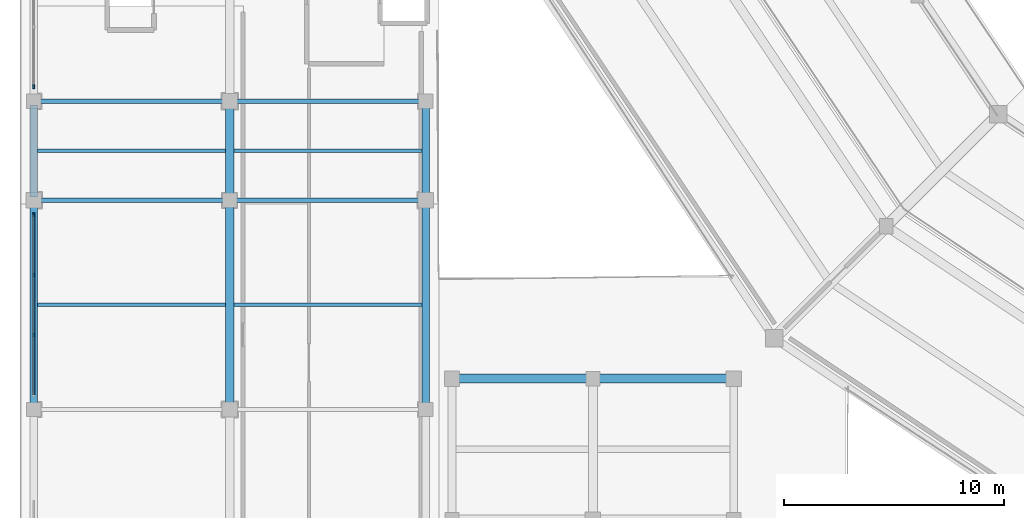
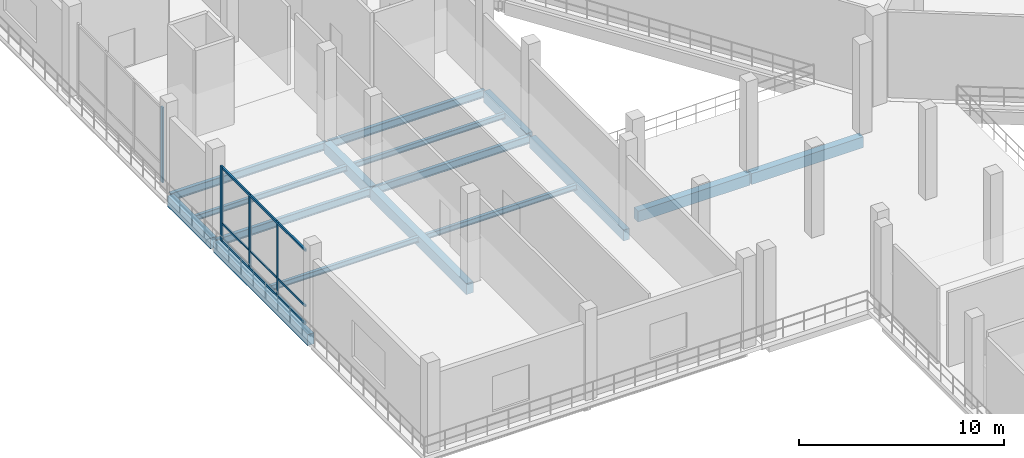
# One storey, part 16 of 127: 16 beams, 7 members, 2 elements without a shape of their own.
"""IFC4 building model written with IfcOpenShell, lengths in metres."""

from ifc_helpers import new_model, si_unit, direction, frame, origin, origin_2d, place, context, subcontext, project, spatial, rectangle, i_section, extrude, material, material_profile, profile_set, type_object, element, aggregate, save


model = new_model("IFC4")

# Units and contexts
model_context = context("Model", 3, precision=1e-05, world=origin(), true_north=direction((0.0, 1.0)))
body_context = subcontext(model_context, "Body", "Model", "MODEL_VIEW")
ifc_project = project(units=[si_unit("LENGTHUNIT", "METRE"), si_unit("AREAUNIT", "SQUARE_METRE"), si_unit("VOLUMEUNIT", "CUBIC_METRE"), si_unit("PLANEANGLEUNIT", "RADIAN"), si_unit("MASSUNIT", "GRAM", prefix="KILO")], contexts=[model_context])

# Site, building, storey
site_placement = place(None, origin())
site = spatial("IfcSite", under=ifc_project, at=site_placement, CompositionType="ELEMENT")
building_placement = place(site_placement, origin())
building = spatial("IfcBuilding", under=site, at=building_placement, Name="Candeia Ridge Stadium", CompositionType="ELEMENT")
storey_placement = place(building_placement, frame((0.0, 0.0, 10.800048828125)))
storey = spatial("IfcBuildingStorey", under=building, at=storey_placement, Name="L02", CompositionType="ELEMENT", Elevation=10.800048828125)

# Curtain wall, member
ifc_material_1 = material(Name="Aluminium Anodized Warm Bronze", Category="aluminium")
curtain_wall_type = type_object("IfcCurtainWallType", Name="Cardinal Entrance Gate Tall Glazed Curtain Wall", PredefinedType="NOTDEFINED", material=ifc_material_1)
curtain_wall_1_placement = place(storey_placement, origin())
curtain_wall_1 = element("IfcCurtainWall", 1, at=curtain_wall_1_placement, inside=storey, type_object=curtain_wall_type, Name="Unitised curtain wall CW-WNG-L02-081", PredefinedType="NOTDEFINED")
ifc_material_profile_1 = material_profile(ifc_material_1, rectangle(XDim=0.090087890625, YDim=0.179931640625, at=origin_2d()), Name="CWM-90x180", Category="aluminium")
ifc_profile_set_1 = profile_set([ifc_material_profile_1], Name="Aluminium Anodized Warm Bronze")
member_type_1 = type_object("IfcMemberType", Name="Curtain Wall Primary Mullion 90x180", PredefinedType="MULLION", material=ifc_profile_set_1)
member_1_placement = place(storey_placement, frame((0.60009765625, 39.840087890625, 0.0), z_axis=(0.0, 0.0, 1.0), x_axis=(1.0, 0.0, 0.0)))
member_1 = element("IfcMember", 2, at=member_1_placement, type_object=member_type_1, Name="Curtain wall mullion CW-WNG-L02-081-M3", PredefinedType="MULLION", context=body_context, shape_type="SweptSolid", body=[
    extrude(rectangle(XDim=0.090087890625, YDim=0.179931640625, at=origin_2d()), origin(), (0.0, 0.0, 1.0), 4.48486328125),
])

curtain_wall_2_placement = place(storey_placement, origin())
curtain_wall_2 = element("IfcCurtainWall", 3, at=curtain_wall_2_placement, inside=storey, type_object=curtain_wall_type, Name="Unitised curtain wall CW-WNG-L02-082", PredefinedType="NOTDEFINED")
member_2_placement = place(storey_placement, frame((0.60009765625, 45.659912109375, 0.0), z_axis=(0.0, 0.0, 1.0), x_axis=(1.0, 0.0, 0.0)))
member_2 = element("IfcMember", 4, at=member_2_placement, type_object=member_type_1, Name="Curtain wall mullion CW-WNG-L02-082-M0", PredefinedType="MULLION", context=body_context, shape_type="SweptSolid", body=[
    extrude(rectangle(XDim=0.090087890625, YDim=0.179931640625, at=origin_2d()), origin(), (0.0, 0.0, 1.0), 4.48486328125),
])
aggregate(curtain_wall_2, [member_2])

# Member
ifc_material_profile_2 = material_profile(ifc_material_1, rectangle(XDim=0.074951171875, YDim=0.14990234375, at=origin_2d()), Name="CWM-75x150", Category="aluminium")
ifc_profile_set_2 = profile_set([ifc_material_profile_2], Name="Aluminium Anodized Warm Bronze")
member_type_2 = type_object("IfcMemberType", Name="Curtain Wall Secondary Mullion 75x150", PredefinedType="MULLION", material=ifc_profile_set_2)
member_3_placement = place(storey_placement, frame((0.60009765625, 34.38671875, 0.0), z_axis=(0.0, 0.0, 1.0), x_axis=(1.0, 0.0, 0.0)))
member_3 = element("IfcMember", 5, at=member_3_placement, type_object=member_type_2, Name="Curtain wall mullion CW-WNG-L02-081-M1", PredefinedType="MULLION", context=body_context, shape_type="SweptSolid", body=[
    extrude(rectangle(XDim=0.074951171875, YDim=0.14990234375, at=origin_2d()), origin(), (0.0, 0.0, 1.0), 4.48486328125),
])

member_4_placement = place(storey_placement, frame((0.60009765625, 37.11328125, 0.0), z_axis=(0.0, 0.0, 1.0), x_axis=(1.0, 0.0, 0.0)))
member_4 = element("IfcMember", 6, at=member_4_placement, type_object=member_type_2, Name="Curtain wall mullion CW-WNG-L02-081-M2", PredefinedType="MULLION", context=body_context, shape_type="SweptSolid", body=[
    extrude(rectangle(XDim=0.074951171875, YDim=0.14990234375, at=origin_2d()), origin(), (0.0, 0.0, 1.0), 4.48486328125),
])

ifc_material_profile_3 = material_profile(ifc_material_1, rectangle(XDim=0.074951171875, YDim=0.110107421875, at=origin_2d()), Name="CWT-75x110", Category="aluminium")
ifc_profile_set_3 = profile_set([ifc_material_profile_3], Name="Aluminium Anodized Warm Bronze")
member_type_3 = type_object("IfcMemberType", Name="Curtain Wall Secondary Transom 75x110", PredefinedType="USERDEFINED", material=ifc_profile_set_3)
member_5_placement = place(storey_placement, frame((0.60009765625, 31.659912109375, 1.099853515625), z_axis=(0.0, 1.0, 0.0), x_axis=(-1.0, 0.0, 0.0)))
member_5 = element("IfcMember", 7, at=member_5_placement, type_object=member_type_3, Name="Curtain wall transom CW-WNG-L02-081-T1", ObjectType="TRANSOM", PredefinedType="USERDEFINED", context=body_context, shape_type="SweptSolid", body=[
    extrude(rectangle(XDim=0.074951171875, YDim=0.110107421875, at=origin_2d()), origin(), (0.0, 0.0, 1.0), 8.18017578125),
])

ifc_material_profile_4 = material_profile(ifc_material_1, rectangle(XDim=0.090087890625, YDim=0.139892578125, at=origin_2d()), Name="CWT-90x140", Category="aluminium")
ifc_profile_set_4 = profile_set([ifc_material_profile_4], Name="Aluminium Anodized Warm Bronze")
member_type_4 = type_object("IfcMemberType", Name="Curtain Wall Transom 90x140", PredefinedType="USERDEFINED", material=ifc_profile_set_4)
member_6_placement = place(storey_placement, frame((0.60009765625, 31.659912109375, 0.070068359375), z_axis=(0.0, 1.0, 0.0), x_axis=(-1.0, 0.0, 0.0)))
member_6 = element("IfcMember", 8, at=member_6_placement, type_object=member_type_4, Name="Curtain wall transom CW-WNG-L02-081-T0", ObjectType="TRANSOM", PredefinedType="USERDEFINED", context=body_context, shape_type="SweptSolid", body=[
    extrude(rectangle(XDim=0.090087890625, YDim=0.139892578125, at=origin_2d()), origin(), (0.0, 0.0, 1.0), 8.18017578125),
])

member_7_placement = place(storey_placement, frame((0.60009765625, 31.659912109375, 4.4150390625), z_axis=(0.0, 1.0, 0.0), x_axis=(-1.0, 0.0, 0.0)))
member_7 = element("IfcMember", 9, at=member_7_placement, type_object=member_type_4, Name="Curtain wall transom CW-WNG-L02-081-T2", ObjectType="TRANSOM", PredefinedType="USERDEFINED", context=body_context, shape_type="SweptSolid", body=[
    extrude(rectangle(XDim=0.090087890625, YDim=0.139892578125, at=origin_2d()), origin(), (0.0, 0.0, 1.0), 8.18017578125),
])

aggregate(curtain_wall_1, [member_3, member_4, member_1, member_6, member_5, member_7])

# Beams
ifc_material_2 = material(Name="Steel ASTM A572 Grade 50", Category="steel")
ifc_material_profile_5 = material_profile(ifc_material_2, i_section(OverallWidth=0.1669921875, OverallDepth=0.31689453125, WebThickness=0.007568359375, FlangeThickness=0.01318359375, FilletRadius=0.011962890625, at=origin_2d()), Name="W310x52", Category="steel")
ifc_profile_set_5 = profile_set([ifc_material_profile_5], Name="Steel ASTM A572 Grade 50")
beam_type_1 = type_object("IfcBeamType", Name="Pavilion Secondary Joist W310x52", PredefinedType="JOIST", material=ifc_profile_set_5)
for number, where, z_axis, x_axis, name in (
    (10, (0.7744140625, 35.75, -0.41845703125), (1.0, 0.0, 0.0), (0.0, 1.0, 0.0), "Wing secondary joist BM-L02-1154"),
    (11, (0.7744140625, 42.75, -0.41845703125), (1.0, 0.0, 0.0), (0.0, 1.0, 0.0), "Wing secondary joist BM-L02-1156"),
    (12, (9.699462890625, 35.75, -0.41845703125), (1.0, 0.0, 0.0), (0.0, 1.0, 0.0), "Wing secondary joist BM-L02-1172"),
    (13, (9.699462890625, 42.75, -0.41845703125), (1.0, 0.0, 0.0), (0.0, 1.0, 0.0), "Wing secondary joist BM-L02-1174"),
):
    element("IfcBeam", number, at=place(storey_placement, frame(where, z_axis=z_axis, x_axis=x_axis)), inside=storey, type_object=beam_type_1, Name=name, PredefinedType="JOIST", context=body_context, shape_type="SweptSolid", body=[
        extrude(i_section(OverallWidth=0.1669921875, OverallDepth=0.31689453125, WebThickness=0.007568359375, FlangeThickness=0.01318359375, FilletRadius=0.011962890625, at=origin_2d()), origin(), (0.0, 0.0, 1.0), 8.526123046875),
    ])
ifc_material_profile_6 = material_profile(ifc_material_2, i_section(OverallWidth=0.18994140625, OverallDepth=0.45703125, WebThickness=0.009033203125, FlangeThickness=0.014404296875, FilletRadius=0.012939453125, at=origin_2d()), Name="W460x74", Category="steel")
ifc_profile_set_6 = profile_set([ifc_material_profile_6], Name="Steel ASTM A572 Grade 50")
beam_type_2 = type_object("IfcBeamType", Name="Pavilion Steel Girder W460x74", PredefinedType="BEAM", material=ifc_profile_set_6)
for number, where, z_axis, x_axis, name in (
    (14, (0.64990234375, 40.5, -0.488525390625), (1.0, 0.0, 0.0), (0.0, 1.0, 0.0), "Structural girder BM-L02-1155"),
    (15, (0.64990234375, 45.0, -0.488525390625), (1.0, 0.0, 0.0), (0.0, 1.0, 0.0), "Structural girder BM-L02-1157"),
    (16, (9.550048828125, 40.5, -0.488525390625), (1.0, 0.0, 0.0), (0.0, 1.0, 0.0), "Structural girder BM-L02-1173"),
    (17, (9.550048828125, 45.0, -0.488525390625), (1.0, 0.0, 0.0), (0.0, 1.0, 0.0), "Structural girder BM-L02-1175"),
):
    element("IfcBeam", number, at=place(storey_placement, frame(where, z_axis=z_axis, x_axis=x_axis)), inside=storey, type_object=beam_type_2, Name=name, PredefinedType="BEAM", context=body_context, shape_type="SweptSolid", body=[
        extrude(i_section(OverallWidth=0.18994140625, OverallDepth=0.45703125, WebThickness=0.009033203125, FlangeThickness=0.014404296875, FilletRadius=0.012939453125, at=origin_2d()), origin(), (0.0, 0.0, 1.0), 8.800048828125),
    ])
ifc_material_3 = material(Name="Concrete C40/50", Category="concrete")
ifc_material_profile_7 = material_profile(ifc_material_3, rectangle(XDim=0.35009765625, YDim=0.64990234375, at=origin_2d()), Name="RC350x650", Category="concrete")
ifc_profile_set_7 = profile_set([ifc_material_profile_7], Name="Concrete C40/50")
beam_type_3 = type_object("IfcBeamType", Name="Spandrel Beam RC350x650", PredefinedType="SPANDREL", material=ifc_profile_set_7)
beam_1_placement = place(storey_placement, frame((0.60009765625, 31.159912109375, -0.5849609375), z_axis=(0.0, 1.0, 0.0), x_axis=(-1.0, 0.0, 0.0)))
element("IfcBeam", 18, at=beam_1_placement, inside=storey, type_object=beam_type_3, Name="Structural girder BM-L02-1114", PredefinedType="SPANDREL", context=body_context, shape_type="SweptSolid", body=[
    extrude(rectangle(XDim=0.35009765625, YDim=0.64990234375, at=origin_2d()), origin(), (0.0, 0.0, 1.0), 9.18017578125),
])
beam_2_placement = place(storey_placement, frame((0.60009765625, 40.659912109375, -0.5849609375), z_axis=(0.0, 1.0, 0.0), x_axis=(-1.0, 0.0, 0.0)))
element("IfcBeam", 19, at=beam_2_placement, inside=storey, type_object=beam_type_3, Name="Structural girder BM-L02-1115", PredefinedType="SPANDREL", context=body_context, shape_type="SweptSolid", body=[
    extrude(rectangle(XDim=0.35009765625, YDim=0.64990234375, at=origin_2d()), origin(), (0.0, 0.0, 1.0), 4.18017578125),
])
beam_3_placement = place(storey_placement, frame((18.39990234375, 31.159912109375, -0.5849609375), z_axis=(0.0, 1.0, 0.0), x_axis=(-1.0, 0.0, 0.0)))
element("IfcBeam", 20, at=beam_3_placement, inside=storey, type_object=beam_type_3, Name="Structural girder BM-L02-1140", PredefinedType="SPANDREL", context=body_context, shape_type="SweptSolid", body=[
    extrude(rectangle(XDim=0.35009765625, YDim=0.64990234375, at=origin_2d()), origin(), (0.0, 0.0, 1.0), 9.18017578125),
])
beam_4_placement = place(storey_placement, frame((18.39990234375, 40.659912109375, -0.5849609375), z_axis=(0.0, 1.0, 0.0), x_axis=(-1.0, 0.0, 0.0)))
element("IfcBeam", 21, at=beam_4_placement, inside=storey, type_object=beam_type_3, Name="Structural girder BM-L02-1141", PredefinedType="SPANDREL", context=body_context, shape_type="SweptSolid", body=[
    extrude(rectangle(XDim=0.35009765625, YDim=0.64990234375, at=origin_2d()), origin(), (0.0, 0.0, 1.0), 4.18017578125),
])
ifc_material_profile_8 = material_profile(ifc_material_3, rectangle(XDim=0.39990234375, YDim=0.64990234375, at=origin_2d()), Name="RC400x650", Category="concrete")
ifc_profile_set_8 = profile_set([ifc_material_profile_8], Name="Concrete C40/50")
beam_type_4 = type_object("IfcBeamType", Name="Wing Primary Girder RC400x650", PredefinedType="BEAM", material=ifc_profile_set_8)
beam_5_placement = place(storey_placement, frame((9.5, 31.050048828125, -0.5849609375), z_axis=(0.0, 1.0, 0.0), x_axis=(-1.0, 0.0, 0.0)))
element("IfcBeam", 22, at=beam_5_placement, inside=storey, type_object=beam_type_4, Name="Structural girder BM-L02-1128", PredefinedType="BEAM", context=body_context, shape_type="SweptSolid", body=[
    extrude(rectangle(XDim=0.39990234375, YDim=0.64990234375, at=origin_2d()), origin(), (0.0, 0.0, 1.0), 9.39990234375),
])
beam_6_placement = place(storey_placement, frame((9.5, 40.550048828125, -0.5849609375), z_axis=(0.0, 1.0, 0.0), x_axis=(-1.0, 0.0, 0.0)))
element("IfcBeam", 23, at=beam_6_placement, inside=storey, type_object=beam_type_4, Name="Structural girder BM-L02-1129", PredefinedType="BEAM", context=body_context, shape_type="SweptSolid", body=[
    extrude(rectangle(XDim=0.39990234375, YDim=0.64990234375, at=origin_2d()), origin(), (0.0, 0.0, 1.0), 4.39990234375),
])
for number, where, z_axis, x_axis, name in (
    (24, (19.64990234375, 32.39990234375, -0.5849609375), (1.0, 0.0, 0.0), (0.0, 1.0, 0.0), "Structural girder BM-L02-2240"),
    (25, (26.050048828125, 32.39990234375, -0.5849609375), (1.0, 0.0, 0.0), (0.0, 1.0, 0.0), "Structural girder BM-L02-2245"),
):
    element("IfcBeam", number, at=place(storey_placement, frame(where, z_axis=z_axis, x_axis=x_axis)), inside=storey, type_object=beam_type_4, Name=name, PredefinedType="BEAM", context=body_context, shape_type="SweptSolid", body=[
        extrude(rectangle(XDim=0.39990234375, YDim=0.64990234375, at=origin_2d()), origin(), (0.0, 0.0, 1.0), 6.300048828125),
    ])

save(model, "model.ifc")
